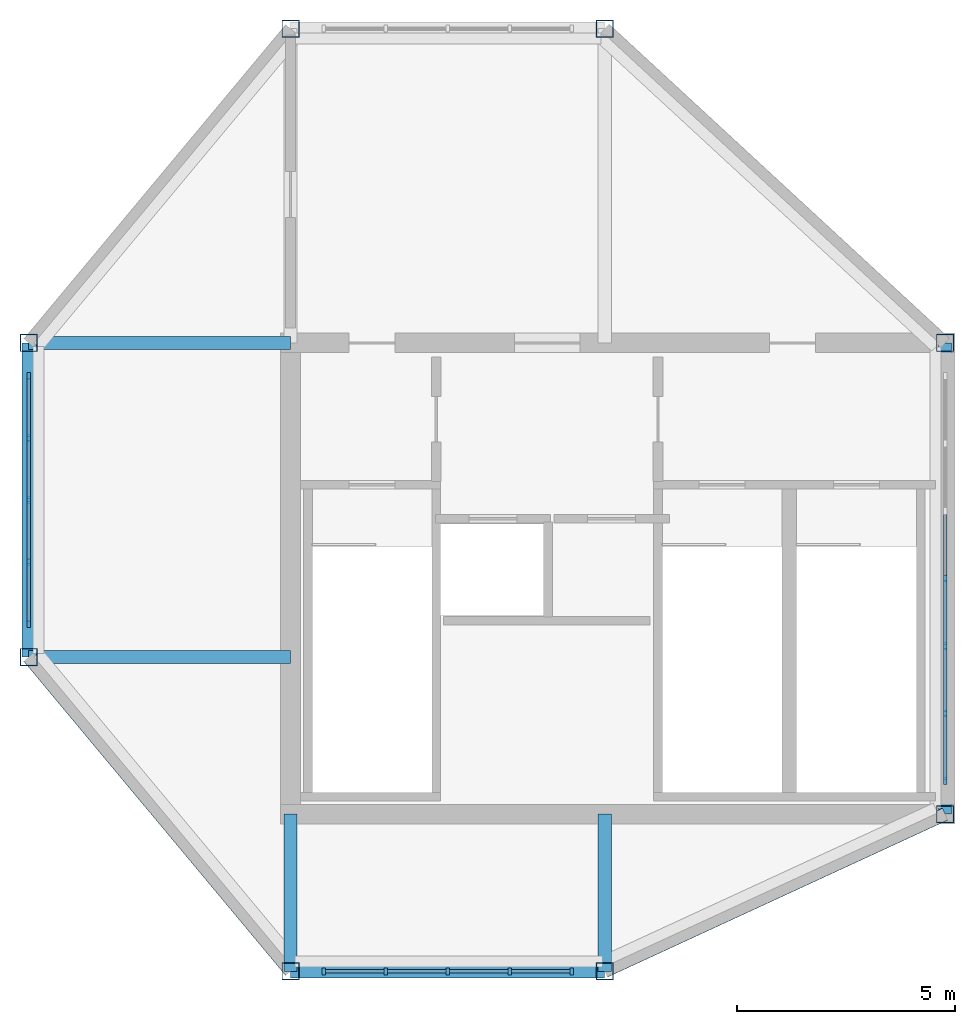
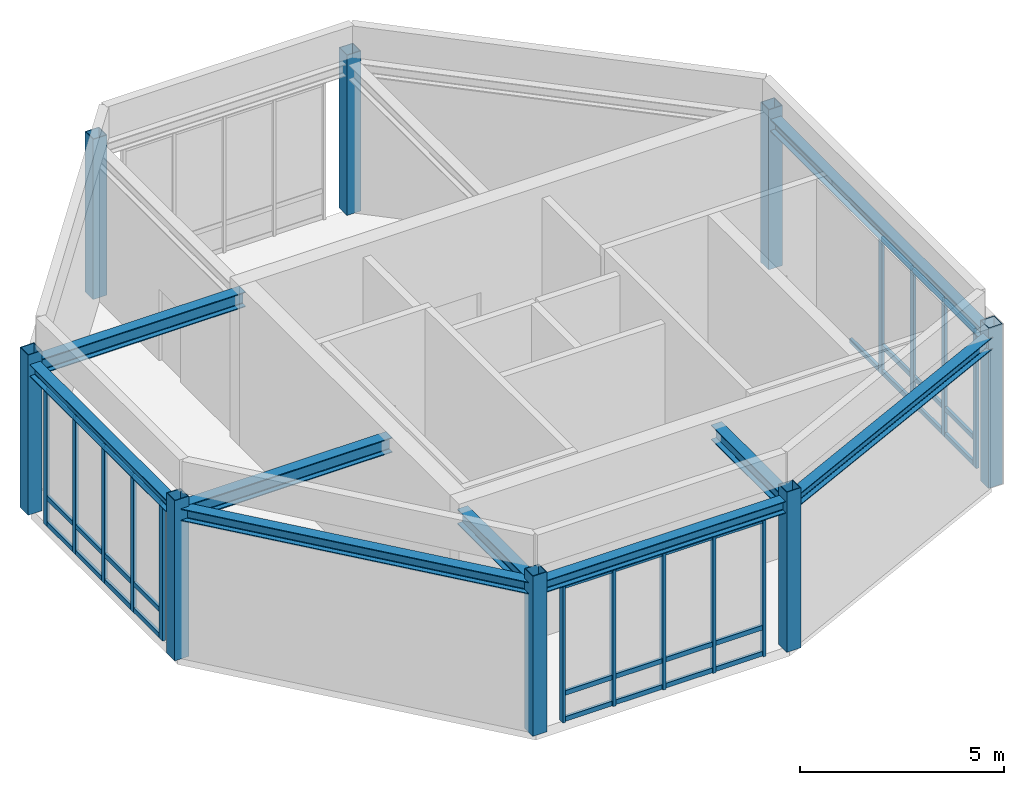
# One storey, part 1 of 5: 48 members, 9 beams, 8 columns, 3 elements without a shape of their own.
"""IFC4 building model written with IfcOpenShell, lengths in metres."""

from ifc_helpers import new_model, si_unit, derived_unit, direction, frame, origin, origin_2d, place, context, subcontext, project, spatial, rectangle, hollow_rectangle, i_section, extrude, source, transform, mapped, material, layer, layer_set, material_profile, profile_set, type_object, type_shapes, element, aggregate, save


model = new_model("IFC4")

# Units and contexts
model_context = context("Model", 3, precision=1e-05, world=origin(), true_north=direction((0.0, 1.0)))
body_context = subcontext(model_context, "Body", "Model", "MODEL_VIEW")
ifc_project = project(units=[si_unit("LENGTHUNIT", "METRE"), si_unit("AREAUNIT", "SQUARE_METRE"), si_unit("VOLUMEUNIT", "CUBIC_METRE"), si_unit("PLANEANGLEUNIT", "RADIAN"), si_unit("MASSUNIT", "GRAM", prefix="KILO"), si_unit("THERMODYNAMICTEMPERATUREUNIT", "KELVIN"), si_unit("POWERUNIT", "WATT"), derived_unit("THERMALTRANSMITTANCEUNIT", [(si_unit("POWERUNIT", "WATT"), 1), (si_unit("AREAUNIT", "SQUARE_METRE"), -1), (si_unit("THERMODYNAMICTEMPERATUREUNIT", "KELVIN"), -1)])], contexts=[model_context])

# Site, building, storey
site_placement = place(None, origin())
site = spatial("IfcSite", under=ifc_project, at=site_placement, CompositionType="ELEMENT")
building_placement = place(site_placement, origin())
building = spatial("IfcBuilding", under=site, at=building_placement, Name="Zahravan Archway Hotel and Residences", CompositionType="ELEMENT")
storey_placement = place(building_placement, frame((0.0, 0.0, 303.89990234375)))
storey = spatial("IfcBuildingStorey", under=building, at=storey_placement, Name="L76", CompositionType="ELEMENT", Elevation=303.89990234375)

# Columns
ifc_material_1 = material(Name="Structural Steel S355J2", Category="steel")
ifc_material_profile_1 = material_profile(ifc_material_1, hollow_rectangle(XDim=0.39990234375, YDim=0.39990234375, WallThickness=0.02001953125, at=origin_2d()), Name="SHS 400x400x20", Category="steel")
ifc_profile_set_1 = profile_set([ifc_material_profile_1], Name="Structural Steel S355J2")
column_type = type_object("IfcColumnType", Name="COL-STL-SHS400", PredefinedType="COLUMN", material=ifc_profile_set_1)
shared_shape_1 = source(origin(), body_context, "Body", "SweptSolid", [
    extrude(hollow_rectangle(XDim=0.39990234375, YDim=0.39990234375, WallThickness=0.02001953125, at=origin_2d()), origin(), (0.0, 0.0, 1.0), 4.800048828125),
])
for number, where, z_axis, x_axis, name in (
    (1, (34.800048828125, 0.0, 0.0), (0.0, 0.0, 1.0), (1.0, 0.0, 0.0), "L76 Column DC1"),
    (2, (42.0, 0.0, 0.0), (0.0, 0.0, 1.0), (1.0, 0.0, 0.0), "L76 Column DC2"),
    (3, (49.800048828125, 3.60009765625, 0.0), (0.0, 0.0, 1.0), (1.0, 0.0, 0.0), "L76 Column DC3"),
    (4, (49.800048828125, 14.39990234375, 0.0), (0.0, 0.0, 1.0), (1.0, 0.0, 0.0), "L76 Column DC4"),
    (5, (42.0, 21.60009765625, 0.0), (0.0, 0.0, 1.0), (1.0, 0.0, 0.0), "L76 Column DC5"),
    (6, (34.800048828125, 21.60009765625, 0.0), (0.0, 0.0, 1.0), (1.0, 0.0, 0.0), "L76 Column DC6"),
    (7, (28.800048828125, 14.39990234375, 0.0), (0.0, 0.0, 1.0), (1.0, 0.0, 0.0), "L76 Column DC7"),
    (8, (28.800048828125, 7.199951171875, 0.0), (0.0, 0.0, 1.0), (1.0, 0.0, 0.0), "L76 Column DC8"),
):
    element("IfcColumn", number, at=place(storey_placement, frame(where, z_axis=z_axis, x_axis=x_axis)), inside=storey, type_object=column_type, Name=name, PredefinedType="COLUMN", context=body_context, shape_type="MappedRepresentation", body=[
        mapped(shared_shape_1, transform((0.0, 0.0, 0.0), scale=1.0)),
    ])

# Beams
ifc_material_2 = material(Name="Structural Steel S355JR", Category="steel")
ifc_material_profile_2 = material_profile(ifc_material_2, i_section(OverallWidth=0.300048828125, OverallDepth=0.449951171875, WebThickness=0.013916015625, FlangeThickness=0.02587890625, FilletRadius=0.027099609375, at=origin_2d()), Name="HEB 450", Category="steel")
ifc_profile_set_2 = profile_set([ifc_material_profile_2], Name="Structural Steel S355JR")
beam_type_1 = type_object("IfcBeamType", Name="BM-PRI-HEB450", PredefinedType="BEAM", material=ifc_profile_set_2)
shared_shape_2 = source(origin(), body_context, "Body", "SweptSolid", [
    extrude(i_section(OverallWidth=0.300048828125, OverallDepth=0.449951171875, WebThickness=0.013916015625, FlangeThickness=0.02587890625, FilletRadius=0.027099609375, at=origin_2d()), origin(), (0.0, 0.0, 1.0), 6.0),
])
for number, where, z_axis, x_axis, name in (
    (9, (34.800048828125, 14.39990234375, 4.275146484375), (-1.0, 0.0, 0.0), (0.0, -1.0, 0.0), "L76 Crown Drum Radial Girder 7"),
    (10, (34.800048828125, 7.199951171875, 4.275146484375), (-1.0, 0.0, 0.0), (0.0, -1.0, 0.0), "L76 Crown Drum Radial Girder 8"),
):
    element("IfcBeam", number, at=place(storey_placement, frame(where, z_axis=z_axis, x_axis=x_axis)), inside=storey, type_object=beam_type_1, Name=name, PredefinedType="BEAM", context=body_context, shape_type="MappedRepresentation", body=[
        mapped(shared_shape_2, transform((0.0, 0.0, 0.0), scale=1.0)),
    ])
ifc_material_profile_3 = material_profile(ifc_material_2, i_section(OverallWidth=0.300048828125, OverallDepth=0.360107421875, WebThickness=0.012451171875, FlangeThickness=0.0224609375, FilletRadius=0.027099609375, at=origin_2d()), Name="HEB 360", Category="steel")
ifc_profile_set_3 = profile_set([ifc_material_profile_3], Name="Structural Steel S355JR")
beam_type_2 = type_object("IfcBeamType", Name="BM-SPN-HEB360", PredefinedType="SPANDREL", material=ifc_profile_set_3)
shared_shape_3 = source(origin(), body_context, "Body", "SweptSolid", [
    extrude(i_section(OverallWidth=0.300048828125, OverallDepth=0.360107421875, WebThickness=0.012451171875, FlangeThickness=0.0224609375, FilletRadius=0.027099609375, at=origin_2d()), origin(), (0.0, 0.0, 1.0), 7.199951171875),
])
type_shapes(beam_type_2, [shared_shape_3])
for number, where, z_axis, x_axis, name in (
    (11, (34.800048828125, 0.0, 4.320068359375), (1.0, 0.0, 0.0), (0.0, 1.0, 0.0), "L76 Crown Drum Ring Spandrel 1"),
    (12, (28.800048828125, 14.39990234375, 4.320068359375), (0.0, -1.0, 0.0), (1.0, 0.0, 0.0), "L76 Crown Drum Ring Spandrel 7"),
):
    element("IfcBeam", number, at=place(storey_placement, frame(where, z_axis=z_axis, x_axis=x_axis)), inside=storey, type_object=beam_type_2, Name=name, PredefinedType="SPANDREL", context=body_context, shape_type="MappedRepresentation", body=[
        mapped(shared_shape_3, transform((0.0, 0.0, 0.0), scale=1.0)),
    ])
shared_shape_4 = source(origin(), body_context, "Body", "SweptSolid", [
    extrude(i_section(OverallWidth=0.300048828125, OverallDepth=0.449951171875, WebThickness=0.013916015625, FlangeThickness=0.02587890625, FilletRadius=0.027099609375, at=origin_2d()), origin(), (0.0, 0.0, 1.0), 3.60009765625),
])
for number, where, z_axis, x_axis, name in (
    (13, (34.800048828125, 3.60009765625, 4.275146484375), (0.0, -1.0, 0.0), (1.0, 0.0, 0.0), "L76 Crown Drum Radial Girder 1"),
    (14, (42.0, 3.60009765625, 4.275146484375), (0.0, -1.0, 0.0), (1.0, 0.0, 0.0), "L76 Crown Drum Radial Girder 2"),
):
    element("IfcBeam", number, at=place(storey_placement, frame(where, z_axis=z_axis, x_axis=x_axis)), inside=storey, type_object=beam_type_1, Name=name, PredefinedType="BEAM", context=body_context, shape_type="MappedRepresentation", body=[
        mapped(shared_shape_4, transform((0.0, 0.0, 0.0), scale=1.0)),
    ])
shared_shape_5 = source(origin(), body_context, "Body", "SweptSolid", [
    extrude(i_section(OverallWidth=0.300048828125, OverallDepth=0.360107421875, WebThickness=0.012451171875, FlangeThickness=0.0224609375, FilletRadius=0.027099609375, at=origin_2d()), origin(), (0.0, 0.0, 1.0), 8.5908203125),
])
beam_1_placement = place(storey_placement, frame((42.0, 0.0, 4.320068359375), z_axis=(0.907956057379, 0.41906538615, 0.0), x_axis=(-0.41906538615, 0.907956057379, 0.0)))
element("IfcBeam", 15, at=beam_1_placement, inside=storey, type_object=beam_type_2, Name="L76 Crown Drum Ring Spandrel 2", PredefinedType="SPANDREL", context=body_context, shape_type="MappedRepresentation", body=[
    mapped(shared_shape_5, transform((0.0, 0.0, 0.0), scale=1.0)),
])
shared_shape_6 = source(origin(), body_context, "Body", "SweptSolid", [
    extrude(i_section(OverallWidth=0.300048828125, OverallDepth=0.360107421875, WebThickness=0.012451171875, FlangeThickness=0.0224609375, FilletRadius=0.027099609375, at=origin_2d()), origin(), (0.0, 0.0, 1.0), 10.7998046875),
])
beam_2_placement = place(storey_placement, frame((49.800048828125, 3.60009765625, 4.320068359375), z_axis=(0.0, 1.0, 0.0), x_axis=(-1.0, 0.0, 0.0)))
element("IfcBeam", 16, at=beam_2_placement, inside=storey, type_object=beam_type_2, Name="L76 Crown Drum Ring Spandrel 3", PredefinedType="SPANDREL", context=body_context, shape_type="MappedRepresentation", body=[
    mapped(shared_shape_6, transform((0.0, 0.0, 0.0), scale=1.0)),
])
shared_shape_7 = source(origin(), body_context, "Body", "SweptSolid", [
    extrude(i_section(OverallWidth=0.300048828125, OverallDepth=0.360107421875, WebThickness=0.012451171875, FlangeThickness=0.0224609375, FilletRadius=0.027099609375, at=origin_2d()), origin(), (0.0, 0.0, 1.0), 9.372314453125),
])
beam_3_placement = place(storey_placement, frame((28.800048828125, 7.199951171875, 4.320068359375), z_axis=(0.640186961885, -0.768219144407, 0.0), x_axis=(0.768219144407, 0.640186961885, 0.0)))
element("IfcBeam", 17, at=beam_3_placement, inside=storey, type_object=beam_type_2, Name="L76 Crown Drum Ring Spandrel 8", PredefinedType="SPANDREL", context=body_context, shape_type="MappedRepresentation", body=[
    mapped(shared_shape_7, transform((0.0, 0.0, 0.0), scale=1.0)),
])

# Curtain wall, members
ifc_material_3 = material(Name="Bronze-Anodized Unitised Aluminium & Low-E Glass", Category="aluminium")
ifc_layer = layer(ifc_material_3, 0.179931640625, Name="Bronze-Anodized Unitised Aluminium & Low-E Glass", Category="aluminium")
ifc_layer_set = layer_set([ifc_layer], Name="Bronze-Anodized Unitised Aluminium & Low-E Glass")
curtain_wall_type = type_object("IfcCurtainWallType", Name="CW-CRN-DRUM", PredefinedType="NOTDEFINED", material=ifc_layer_set)
curtain_wall_1_placement = place(storey_placement, origin())
curtain_wall_1 = element("IfcCurtainWall", 18, at=curtain_wall_1_placement, inside=storey, type_object=curtain_wall_type, Name="L76 Curtain Wall CW-DRUM-L76-1-1", PredefinedType="NOTDEFINED")
ifc_material_4 = material(Name="Bronze-Anodized Extruded Aluminium", Category="aluminium")
ifc_material_profile_4 = material_profile(ifc_material_4, rectangle(XDim=0.080078125, YDim=0.139892578125, at=origin_2d()), Name="TRN 80x140", Category="aluminium")
ifc_profile_set_4 = profile_set([ifc_material_profile_4], Name="Bronze-Anodized Extruded Aluminium")
member_type_1 = type_object("IfcMemberType", Name="CWM-TRN-140", PredefinedType="USERDEFINED", material=ifc_profile_set_4)
shared_shape_8 = source(origin(), body_context, "Body", "SweptSolid", [
    extrude(rectangle(XDim=0.080078125, YDim=0.139892578125, at=origin_2d()), origin(), (0.0, 0.0, 1.0), 1.33984375),
])
member_1_placement = place(storey_placement, frame((35.60009765625, 0.0, 0.070068359375), z_axis=(1.0, 0.0, 0.0), x_axis=(0.0, 1.0, 0.0)))
member_1 = element("IfcMember", 19, at=member_1_placement, type_object=member_type_1, Name="CW-DRUM-L76-1-1 Transom 0-1", ObjectType="TRANSOM", PredefinedType="USERDEFINED", context=body_context, shape_type="MappedRepresentation", body=[
    mapped(shared_shape_8, transform((0.0, 0.0, 0.0), scale=1.0)),
])
member_2_placement = place(storey_placement, frame((35.60009765625, 0.0, 0.85009765625), z_axis=(1.0, 0.0, 0.0), x_axis=(0.0, 1.0, 0.0)))
member_2 = element("IfcMember", 20, at=member_2_placement, type_object=member_type_1, Name="CW-DRUM-L76-1-1 Transom 0-2", ObjectType="TRANSOM", PredefinedType="USERDEFINED", context=body_context, shape_type="MappedRepresentation", body=[
    mapped(shared_shape_8, transform((0.0, 0.0, 0.0), scale=1.0)),
])
member_3_placement = place(storey_placement, frame((35.60009765625, 0.0, 4.05517578125), z_axis=(1.0, 0.0, 0.0), x_axis=(0.0, 1.0, 0.0)))
member_3 = element("IfcMember", 21, at=member_3_placement, type_object=member_type_1, Name="CW-DRUM-L76-1-1 Transom 0-3", ObjectType="TRANSOM", PredefinedType="USERDEFINED", context=body_context, shape_type="MappedRepresentation", body=[
    mapped(shared_shape_8, transform((0.0, 0.0, 0.0), scale=1.0)),
])
member_4_placement = place(storey_placement, frame((39.860107421875, 0.0, 0.070068359375), z_axis=(1.0, 0.0, 0.0), x_axis=(0.0, 1.0, 0.0)))
member_4 = element("IfcMember", 22, at=member_4_placement, type_object=member_type_1, Name="CW-DRUM-L76-1-1 Transom 3-1", ObjectType="TRANSOM", PredefinedType="USERDEFINED", context=body_context, shape_type="MappedRepresentation", body=[
    mapped(shared_shape_8, transform((0.0, 0.0, 0.0), scale=1.0)),
])
member_5_placement = place(storey_placement, frame((39.860107421875, 0.0, 0.85009765625), z_axis=(1.0, 0.0, 0.0), x_axis=(0.0, 1.0, 0.0)))
member_5 = element("IfcMember", 23, at=member_5_placement, type_object=member_type_1, Name="CW-DRUM-L76-1-1 Transom 3-2", ObjectType="TRANSOM", PredefinedType="USERDEFINED", context=body_context, shape_type="MappedRepresentation", body=[
    mapped(shared_shape_8, transform((0.0, 0.0, 0.0), scale=1.0)),
])
member_6_placement = place(storey_placement, frame((39.860107421875, 0.0, 4.05517578125), z_axis=(1.0, 0.0, 0.0), x_axis=(0.0, 1.0, 0.0)))
member_6 = element("IfcMember", 24, at=member_6_placement, type_object=member_type_1, Name="CW-DRUM-L76-1-1 Transom 3-3", ObjectType="TRANSOM", PredefinedType="USERDEFINED", context=body_context, shape_type="MappedRepresentation", body=[
    mapped(shared_shape_8, transform((0.0, 0.0, 0.0), scale=1.0)),
])

curtain_wall_2_placement = place(storey_placement, origin())
curtain_wall_2 = element("IfcCurtainWall", 25, at=curtain_wall_2_placement, inside=storey, type_object=curtain_wall_type, Name="L76 Curtain Wall CW-DRUM-L76-7-1", PredefinedType="NOTDEFINED")
member_7_placement = place(storey_placement, frame((28.800048828125, 12.179931640625, 0.070068359375), z_axis=(0.0, -1.0, 0.0), x_axis=(1.0, 0.0, 0.0)))
member_7 = element("IfcMember", 26, at=member_7_placement, type_object=member_type_1, Name="CW-DRUM-L76-7-1 Transom 1-1", ObjectType="TRANSOM", PredefinedType="USERDEFINED", context=body_context, shape_type="MappedRepresentation", body=[
    mapped(shared_shape_8, transform((0.0, 0.0, 0.0), scale=1.0)),
])
member_8_placement = place(storey_placement, frame((28.800048828125, 12.179931640625, 0.85009765625), z_axis=(0.0, -1.0, 0.0), x_axis=(1.0, 0.0, 0.0)))
member_8 = element("IfcMember", 27, at=member_8_placement, type_object=member_type_1, Name="CW-DRUM-L76-7-1 Transom 1-2", ObjectType="TRANSOM", PredefinedType="USERDEFINED", context=body_context, shape_type="MappedRepresentation", body=[
    mapped(shared_shape_8, transform((0.0, 0.0, 0.0), scale=1.0)),
])
member_9_placement = place(storey_placement, frame((28.800048828125, 12.179931640625, 4.05517578125), z_axis=(0.0, -1.0, 0.0), x_axis=(1.0, 0.0, 0.0)))
member_9 = element("IfcMember", 28, at=member_9_placement, type_object=member_type_1, Name="CW-DRUM-L76-7-1 Transom 1-3", ObjectType="TRANSOM", PredefinedType="USERDEFINED", context=body_context, shape_type="MappedRepresentation", body=[
    mapped(shared_shape_8, transform((0.0, 0.0, 0.0), scale=1.0)),
])

# Member
shared_shape_9 = source(origin(), body_context, "Body", "SweptSolid", [
    extrude(rectangle(XDim=0.080078125, YDim=0.139892578125, at=origin_2d()), origin(), (0.0, 0.0, 1.0), 1.340087890625),
])
member_10_placement = place(storey_placement, frame((37.02001953125, 0.0, 0.070068359375), z_axis=(1.0, 0.0, 0.0), x_axis=(0.0, 1.0, 0.0)))
member_10 = element("IfcMember", 29, at=member_10_placement, type_object=member_type_1, Name="CW-DRUM-L76-1-1 Transom 1-1", ObjectType="TRANSOM", PredefinedType="USERDEFINED", context=body_context, shape_type="MappedRepresentation", body=[
    mapped(shared_shape_9, transform((0.0, 0.0, 0.0), scale=1.0)),
])

member_11_placement = place(storey_placement, frame((37.02001953125, 0.0, 0.85009765625), z_axis=(1.0, 0.0, 0.0), x_axis=(0.0, 1.0, 0.0)))
member_11 = element("IfcMember", 30, at=member_11_placement, type_object=member_type_1, Name="CW-DRUM-L76-1-1 Transom 1-2", ObjectType="TRANSOM", PredefinedType="USERDEFINED", context=body_context, shape_type="MappedRepresentation", body=[
    mapped(shared_shape_9, transform((0.0, 0.0, 0.0), scale=1.0)),
])

member_12_placement = place(storey_placement, frame((37.02001953125, 0.0, 4.05517578125), z_axis=(1.0, 0.0, 0.0), x_axis=(0.0, 1.0, 0.0)))
member_12 = element("IfcMember", 31, at=member_12_placement, type_object=member_type_1, Name="CW-DRUM-L76-1-1 Transom 1-3", ObjectType="TRANSOM", PredefinedType="USERDEFINED", context=body_context, shape_type="MappedRepresentation", body=[
    mapped(shared_shape_9, transform((0.0, 0.0, 0.0), scale=1.0)),
])

member_13_placement = place(storey_placement, frame((38.43994140625, 0.0, 0.070068359375), z_axis=(1.0, 0.0, 0.0), x_axis=(0.0, 1.0, 0.0)))
member_13 = element("IfcMember", 32, at=member_13_placement, type_object=member_type_1, Name="CW-DRUM-L76-1-1 Transom 2-1", ObjectType="TRANSOM", PredefinedType="USERDEFINED", context=body_context, shape_type="MappedRepresentation", body=[
    mapped(shared_shape_9, transform((0.0, 0.0, 0.0), scale=1.0)),
])

member_14_placement = place(storey_placement, frame((38.43994140625, 0.0, 0.85009765625), z_axis=(1.0, 0.0, 0.0), x_axis=(0.0, 1.0, 0.0)))
member_14 = element("IfcMember", 33, at=member_14_placement, type_object=member_type_1, Name="CW-DRUM-L76-1-1 Transom 2-2", ObjectType="TRANSOM", PredefinedType="USERDEFINED", context=body_context, shape_type="MappedRepresentation", body=[
    mapped(shared_shape_9, transform((0.0, 0.0, 0.0), scale=1.0)),
])

member_15_placement = place(storey_placement, frame((38.43994140625, 0.0, 4.05517578125), z_axis=(1.0, 0.0, 0.0), x_axis=(0.0, 1.0, 0.0)))
member_15 = element("IfcMember", 34, at=member_15_placement, type_object=member_type_1, Name="CW-DRUM-L76-1-1 Transom 2-3", ObjectType="TRANSOM", PredefinedType="USERDEFINED", context=body_context, shape_type="MappedRepresentation", body=[
    mapped(shared_shape_9, transform((0.0, 0.0, 0.0), scale=1.0)),
])

member_16_placement = place(storey_placement, frame((28.800048828125, 13.60009765625, 0.070068359375), z_axis=(0.0, -1.0, 0.0), x_axis=(1.0, 0.0, 0.0)))
member_16 = element("IfcMember", 35, at=member_16_placement, type_object=member_type_1, Name="CW-DRUM-L76-7-1 Transom 0-1", ObjectType="TRANSOM", PredefinedType="USERDEFINED", context=body_context, shape_type="MappedRepresentation", body=[
    mapped(shared_shape_9, transform((0.0, 0.0, 0.0), scale=1.0)),
])

member_17_placement = place(storey_placement, frame((28.800048828125, 13.60009765625, 0.85009765625), z_axis=(0.0, -1.0, 0.0), x_axis=(1.0, 0.0, 0.0)))
member_17 = element("IfcMember", 36, at=member_17_placement, type_object=member_type_1, Name="CW-DRUM-L76-7-1 Transom 0-2", ObjectType="TRANSOM", PredefinedType="USERDEFINED", context=body_context, shape_type="MappedRepresentation", body=[
    mapped(shared_shape_9, transform((0.0, 0.0, 0.0), scale=1.0)),
])

member_18_placement = place(storey_placement, frame((28.800048828125, 13.60009765625, 4.05517578125), z_axis=(0.0, -1.0, 0.0), x_axis=(1.0, 0.0, 0.0)))
member_18 = element("IfcMember", 37, at=member_18_placement, type_object=member_type_1, Name="CW-DRUM-L76-7-1 Transom 0-3", ObjectType="TRANSOM", PredefinedType="USERDEFINED", context=body_context, shape_type="MappedRepresentation", body=[
    mapped(shared_shape_9, transform((0.0, 0.0, 0.0), scale=1.0)),
])

member_19_placement = place(storey_placement, frame((28.800048828125, 10.760009765625, 0.070068359375), z_axis=(0.0, -1.0, 0.0), x_axis=(1.0, 0.0, 0.0)))
member_19 = element("IfcMember", 38, at=member_19_placement, type_object=member_type_1, Name="CW-DRUM-L76-7-1 Transom 2-1", ObjectType="TRANSOM", PredefinedType="USERDEFINED", context=body_context, shape_type="MappedRepresentation", body=[
    mapped(shared_shape_9, transform((0.0, 0.0, 0.0), scale=1.0)),
])

member_20_placement = place(storey_placement, frame((28.800048828125, 10.760009765625, 0.85009765625), z_axis=(0.0, -1.0, 0.0), x_axis=(1.0, 0.0, 0.0)))
member_20 = element("IfcMember", 39, at=member_20_placement, type_object=member_type_1, Name="CW-DRUM-L76-7-1 Transom 2-2", ObjectType="TRANSOM", PredefinedType="USERDEFINED", context=body_context, shape_type="MappedRepresentation", body=[
    mapped(shared_shape_9, transform((0.0, 0.0, 0.0), scale=1.0)),
])

member_21_placement = place(storey_placement, frame((28.800048828125, 10.760009765625, 4.05517578125), z_axis=(0.0, -1.0, 0.0), x_axis=(1.0, 0.0, 0.0)))
member_21 = element("IfcMember", 40, at=member_21_placement, type_object=member_type_1, Name="CW-DRUM-L76-7-1 Transom 2-3", ObjectType="TRANSOM", PredefinedType="USERDEFINED", context=body_context, shape_type="MappedRepresentation", body=[
    mapped(shared_shape_9, transform((0.0, 0.0, 0.0), scale=1.0)),
])

member_22_placement = place(storey_placement, frame((28.800048828125, 9.340087890625, 0.070068359375), z_axis=(0.0, -1.0, 0.0), x_axis=(1.0, 0.0, 0.0)))
member_22 = element("IfcMember", 41, at=member_22_placement, type_object=member_type_1, Name="CW-DRUM-L76-7-1 Transom 3-1", ObjectType="TRANSOM", PredefinedType="USERDEFINED", context=body_context, shape_type="MappedRepresentation", body=[
    mapped(shared_shape_9, transform((0.0, 0.0, 0.0), scale=1.0)),
])

member_23_placement = place(storey_placement, frame((28.800048828125, 9.340087890625, 0.85009765625), z_axis=(0.0, -1.0, 0.0), x_axis=(1.0, 0.0, 0.0)))
member_23 = element("IfcMember", 42, at=member_23_placement, type_object=member_type_1, Name="CW-DRUM-L76-7-1 Transom 3-2", ObjectType="TRANSOM", PredefinedType="USERDEFINED", context=body_context, shape_type="MappedRepresentation", body=[
    mapped(shared_shape_9, transform((0.0, 0.0, 0.0), scale=1.0)),
])

member_24_placement = place(storey_placement, frame((28.800048828125, 9.340087890625, 4.05517578125), z_axis=(0.0, -1.0, 0.0), x_axis=(1.0, 0.0, 0.0)))
member_24 = element("IfcMember", 43, at=member_24_placement, type_object=member_type_1, Name="CW-DRUM-L76-7-1 Transom 3-3", ObjectType="TRANSOM", PredefinedType="USERDEFINED", context=body_context, shape_type="MappedRepresentation", body=[
    mapped(shared_shape_9, transform((0.0, 0.0, 0.0), scale=1.0)),
])

ifc_material_profile_5 = material_profile(ifc_material_4, rectangle(XDim=0.080078125, YDim=0.159912109375, at=origin_2d()), Name="MUL 80x160", Category="aluminium")
ifc_profile_set_5 = profile_set([ifc_material_profile_5], Name="Bronze-Anodized Extruded Aluminium")
member_type_2 = type_object("IfcMemberType", Name="CWM-MUL-160", PredefinedType="MULLION", material=ifc_profile_set_5)
shared_shape_10 = source(origin(), body_context, "Body", "SweptSolid", [
    extrude(rectangle(XDim=0.080078125, YDim=0.159912109375, at=origin_2d()), origin(), (0.0, 0.0, 1.0), 4.125),
])
member_25_placement = place(storey_placement, frame((35.56005859375, 0.0, 0.0), z_axis=(0.0, 0.0, 1.0), x_axis=(1.0, 0.0, 0.0)))
member_25 = element("IfcMember", 44, at=member_25_placement, type_object=member_type_2, Name="CW-DRUM-L76-1-1 Mullion 0", PredefinedType="MULLION", context=body_context, shape_type="MappedRepresentation", body=[
    mapped(shared_shape_10, transform((0.0, 0.0, 0.0), scale=1.0)),
])

member_26_placement = place(storey_placement, frame((36.97998046875, 0.0, 0.0), z_axis=(0.0, 0.0, 1.0), x_axis=(1.0, 0.0, 0.0)))
member_26 = element("IfcMember", 45, at=member_26_placement, type_object=member_type_2, Name="CW-DRUM-L76-1-1 Mullion 1", PredefinedType="MULLION", context=body_context, shape_type="MappedRepresentation", body=[
    mapped(shared_shape_10, transform((0.0, 0.0, 0.0), scale=1.0)),
])

member_27_placement = place(storey_placement, frame((38.39990234375, 0.0, 0.0), z_axis=(0.0, 0.0, 1.0), x_axis=(1.0, 0.0, 0.0)))
member_27 = element("IfcMember", 46, at=member_27_placement, type_object=member_type_2, Name="CW-DRUM-L76-1-1 Mullion 2", PredefinedType="MULLION", context=body_context, shape_type="MappedRepresentation", body=[
    mapped(shared_shape_10, transform((0.0, 0.0, 0.0), scale=1.0)),
])

member_28_placement = place(storey_placement, frame((39.820068359375, 0.0, 0.0), z_axis=(0.0, 0.0, 1.0), x_axis=(1.0, 0.0, 0.0)))
member_28 = element("IfcMember", 47, at=member_28_placement, type_object=member_type_2, Name="CW-DRUM-L76-1-1 Mullion 3", PredefinedType="MULLION", context=body_context, shape_type="MappedRepresentation", body=[
    mapped(shared_shape_10, transform((0.0, 0.0, 0.0), scale=1.0)),
])

member_29_placement = place(storey_placement, frame((41.239990234375, 0.0, 0.0), z_axis=(0.0, 0.0, 1.0), x_axis=(1.0, 0.0, 0.0)))
member_29 = element("IfcMember", 48, at=member_29_placement, type_object=member_type_2, Name="CW-DRUM-L76-1-1 Mullion 4", PredefinedType="MULLION", context=body_context, shape_type="MappedRepresentation", body=[
    mapped(shared_shape_10, transform((0.0, 0.0, 0.0), scale=1.0)),
])

aggregate(curtain_wall_1, [member_25, member_26, member_27, member_28, member_29, member_1, member_2, member_3, member_10, member_11, member_12, member_13, member_14, member_15, member_4, member_5, member_6])

# Curtain wall, members
curtain_wall_3_placement = place(storey_placement, origin())
curtain_wall_3 = element("IfcCurtainWall", 49, at=curtain_wall_3_placement, inside=storey, type_object=curtain_wall_type, Name="L76 Curtain Wall CW-DRUM-L76-3-1", PredefinedType="NOTDEFINED")
member_30_placement = place(storey_placement, frame((49.800048828125, 4.360107421875, 0.0), z_axis=(0.0, 0.0, 1.0), x_axis=(1.0, 0.0, 0.0)))
member_30 = element("IfcMember", 50, at=member_30_placement, type_object=member_type_2, Name="CW-DRUM-L76-3-1 Mullion 0", PredefinedType="MULLION", context=body_context, shape_type="MappedRepresentation", body=[
    mapped(shared_shape_10, transform((0.0, 0.0, 0.0), scale=1.0)),
])
member_31_placement = place(storey_placement, frame((49.800048828125, 5.90673828125, 0.0), z_axis=(0.0, 0.0, 1.0), x_axis=(1.0, 0.0, 0.0)))
member_31 = element("IfcMember", 51, at=member_31_placement, type_object=member_type_2, Name="CW-DRUM-L76-3-1 Mullion 1", PredefinedType="MULLION", context=body_context, shape_type="MappedRepresentation", body=[
    mapped(shared_shape_10, transform((0.0, 0.0, 0.0), scale=1.0)),
])
member_32_placement = place(storey_placement, frame((49.800048828125, 7.453369140625, 0.0), z_axis=(0.0, 0.0, 1.0), x_axis=(1.0, 0.0, 0.0)))
member_32 = element("IfcMember", 52, at=member_32_placement, type_object=member_type_2, Name="CW-DRUM-L76-3-1 Mullion 2", PredefinedType="MULLION", context=body_context, shape_type="MappedRepresentation", body=[
    mapped(shared_shape_10, transform((0.0, 0.0, 0.0), scale=1.0)),
])
member_33_placement = place(storey_placement, frame((49.800048828125, 9.0, 0.0), z_axis=(0.0, 0.0, 1.0), x_axis=(1.0, 0.0, 0.0)))
member_33 = element("IfcMember", 53, at=member_33_placement, type_object=member_type_2, Name="CW-DRUM-L76-3-1 Mullion 3", PredefinedType="MULLION", context=body_context, shape_type="MappedRepresentation", body=[
    mapped(shared_shape_10, transform((0.0, 0.0, 0.0), scale=1.0)),
])

# Member
member_34_placement = place(storey_placement, frame((28.800048828125, 13.639892578125, 0.0), z_axis=(0.0, 0.0, 1.0), x_axis=(1.0, 0.0, 0.0)))
member_34 = element("IfcMember", 54, at=member_34_placement, type_object=member_type_2, Name="CW-DRUM-L76-7-1 Mullion 0", PredefinedType="MULLION", context=body_context, shape_type="MappedRepresentation", body=[
    mapped(shared_shape_10, transform((0.0, 0.0, 0.0), scale=1.0)),
])

member_35_placement = place(storey_placement, frame((28.800048828125, 12.219970703125, 0.0), z_axis=(0.0, 0.0, 1.0), x_axis=(1.0, 0.0, 0.0)))
member_35 = element("IfcMember", 55, at=member_35_placement, type_object=member_type_2, Name="CW-DRUM-L76-7-1 Mullion 1", PredefinedType="MULLION", context=body_context, shape_type="MappedRepresentation", body=[
    mapped(shared_shape_10, transform((0.0, 0.0, 0.0), scale=1.0)),
])

member_36_placement = place(storey_placement, frame((28.800048828125, 10.800048828125, 0.0), z_axis=(0.0, 0.0, 1.0), x_axis=(1.0, 0.0, 0.0)))
member_36 = element("IfcMember", 56, at=member_36_placement, type_object=member_type_2, Name="CW-DRUM-L76-7-1 Mullion 2", PredefinedType="MULLION", context=body_context, shape_type="MappedRepresentation", body=[
    mapped(shared_shape_10, transform((0.0, 0.0, 0.0), scale=1.0)),
])

member_37_placement = place(storey_placement, frame((28.800048828125, 9.3798828125, 0.0), z_axis=(0.0, 0.0, 1.0), x_axis=(1.0, 0.0, 0.0)))
member_37 = element("IfcMember", 57, at=member_37_placement, type_object=member_type_2, Name="CW-DRUM-L76-7-1 Mullion 3", PredefinedType="MULLION", context=body_context, shape_type="MappedRepresentation", body=[
    mapped(shared_shape_10, transform((0.0, 0.0, 0.0), scale=1.0)),
])

member_38_placement = place(storey_placement, frame((28.800048828125, 7.9599609375, 0.0), z_axis=(0.0, 0.0, 1.0), x_axis=(1.0, 0.0, 0.0)))
member_38 = element("IfcMember", 58, at=member_38_placement, type_object=member_type_2, Name="CW-DRUM-L76-7-1 Mullion 4", PredefinedType="MULLION", context=body_context, shape_type="MappedRepresentation", body=[
    mapped(shared_shape_10, transform((0.0, 0.0, 0.0), scale=1.0)),
])

aggregate(curtain_wall_2, [member_34, member_35, member_36, member_37, member_38, member_16, member_17, member_18, member_7, member_8, member_9, member_19, member_20, member_21, member_22, member_23, member_24])

shared_shape_11 = source(origin(), body_context, "Body", "SweptSolid", [
    extrude(rectangle(XDim=0.080078125, YDim=0.139892578125, at=origin_2d()), origin(), (0.0, 0.0, 1.0), 1.466796875),
])
member_39_placement = place(storey_placement, frame((49.800048828125, 4.39990234375, 0.070068359375), z_axis=(0.0, 1.0, 0.0), x_axis=(-1.0, 0.0, 0.0)))
member_39 = element("IfcMember", 59, at=member_39_placement, type_object=member_type_1, Name="CW-DRUM-L76-3-1 Transom 0-1", ObjectType="TRANSOM", PredefinedType="USERDEFINED", context=body_context, shape_type="MappedRepresentation", body=[
    mapped(shared_shape_11, transform((0.0, 0.0, 0.0), scale=1.0)),
])

member_40_placement = place(storey_placement, frame((49.800048828125, 4.39990234375, 0.85009765625), z_axis=(0.0, 1.0, 0.0), x_axis=(-1.0, 0.0, 0.0)))
member_40 = element("IfcMember", 60, at=member_40_placement, type_object=member_type_1, Name="CW-DRUM-L76-3-1 Transom 0-2", ObjectType="TRANSOM", PredefinedType="USERDEFINED", context=body_context, shape_type="MappedRepresentation", body=[
    mapped(shared_shape_11, transform((0.0, 0.0, 0.0), scale=1.0)),
])

member_41_placement = place(storey_placement, frame((49.800048828125, 4.39990234375, 4.05517578125), z_axis=(0.0, 1.0, 0.0), x_axis=(-1.0, 0.0, 0.0)))
member_41 = element("IfcMember", 61, at=member_41_placement, type_object=member_type_1, Name="CW-DRUM-L76-3-1 Transom 0-3", ObjectType="TRANSOM", PredefinedType="USERDEFINED", context=body_context, shape_type="MappedRepresentation", body=[
    mapped(shared_shape_11, transform((0.0, 0.0, 0.0), scale=1.0)),
])

shared_shape_12 = source(origin(), body_context, "Body", "SweptSolid", [
    extrude(rectangle(XDim=0.080078125, YDim=0.139892578125, at=origin_2d()), origin(), (0.0, 0.0, 1.0), 1.466552734375),
])
member_42_placement = place(storey_placement, frame((49.800048828125, 5.94677734375, 0.070068359375), z_axis=(0.0, 1.0, 0.0), x_axis=(-1.0, 0.0, 0.0)))
member_42 = element("IfcMember", 62, at=member_42_placement, type_object=member_type_1, Name="CW-DRUM-L76-3-1 Transom 1-1", ObjectType="TRANSOM", PredefinedType="USERDEFINED", context=body_context, shape_type="MappedRepresentation", body=[
    mapped(shared_shape_12, transform((0.0, 0.0, 0.0), scale=1.0)),
])

member_43_placement = place(storey_placement, frame((49.800048828125, 5.94677734375, 0.85009765625), z_axis=(0.0, 1.0, 0.0), x_axis=(-1.0, 0.0, 0.0)))
member_43 = element("IfcMember", 63, at=member_43_placement, type_object=member_type_1, Name="CW-DRUM-L76-3-1 Transom 1-2", ObjectType="TRANSOM", PredefinedType="USERDEFINED", context=body_context, shape_type="MappedRepresentation", body=[
    mapped(shared_shape_12, transform((0.0, 0.0, 0.0), scale=1.0)),
])

member_44_placement = place(storey_placement, frame((49.800048828125, 5.94677734375, 4.05517578125), z_axis=(0.0, 1.0, 0.0), x_axis=(-1.0, 0.0, 0.0)))
member_44 = element("IfcMember", 64, at=member_44_placement, type_object=member_type_1, Name="CW-DRUM-L76-3-1 Transom 1-3", ObjectType="TRANSOM", PredefinedType="USERDEFINED", context=body_context, shape_type="MappedRepresentation", body=[
    mapped(shared_shape_12, transform((0.0, 0.0, 0.0), scale=1.0)),
])

member_45_placement = place(storey_placement, frame((49.800048828125, 7.493408203125, 0.070068359375), z_axis=(0.0, 1.0, 0.0), x_axis=(-1.0, 0.0, 0.0)))
member_45 = element("IfcMember", 65, at=member_45_placement, type_object=member_type_1, Name="CW-DRUM-L76-3-1 Transom 2-1", ObjectType="TRANSOM", PredefinedType="USERDEFINED", context=body_context, shape_type="MappedRepresentation", body=[
    mapped(shared_shape_12, transform((0.0, 0.0, 0.0), scale=1.0)),
])

member_46_placement = place(storey_placement, frame((49.800048828125, 7.493408203125, 0.85009765625), z_axis=(0.0, 1.0, 0.0), x_axis=(-1.0, 0.0, 0.0)))
member_46 = element("IfcMember", 66, at=member_46_placement, type_object=member_type_1, Name="CW-DRUM-L76-3-1 Transom 2-2", ObjectType="TRANSOM", PredefinedType="USERDEFINED", context=body_context, shape_type="MappedRepresentation", body=[
    mapped(shared_shape_12, transform((0.0, 0.0, 0.0), scale=1.0)),
])

member_47_placement = place(storey_placement, frame((49.800048828125, 7.493408203125, 4.05517578125), z_axis=(0.0, 1.0, 0.0), x_axis=(-1.0, 0.0, 0.0)))
member_47 = element("IfcMember", 67, at=member_47_placement, type_object=member_type_1, Name="CW-DRUM-L76-3-1 Transom 2-3", ObjectType="TRANSOM", PredefinedType="USERDEFINED", context=body_context, shape_type="MappedRepresentation", body=[
    mapped(shared_shape_12, transform((0.0, 0.0, 0.0), scale=1.0)),
])

member_48_placement = place(storey_placement, frame((49.800048828125, 9.0400390625, 0.070068359375), z_axis=(0.0, 1.0, 0.0), x_axis=(-1.0, 0.0, 0.0)))
member_48 = element("IfcMember", 68, at=member_48_placement, type_object=member_type_1, Name="CW-DRUM-L76-3-1 Transom 3-1", ObjectType="TRANSOM", PredefinedType="USERDEFINED", context=body_context, shape_type="MappedRepresentation", body=[
    mapped(shared_shape_12, transform((0.0, 0.0, 0.0), scale=1.0)),
])

aggregate(curtain_wall_3, [member_30, member_31, member_32, member_33, member_39, member_40, member_41, member_42, member_43, member_44, member_45, member_46, member_47, member_48])

save(model, "model.ifc")
